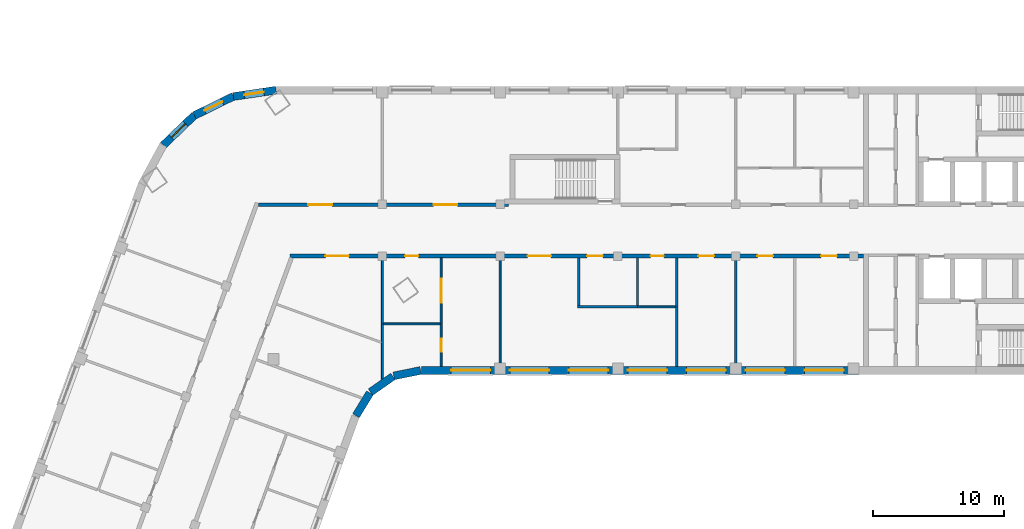
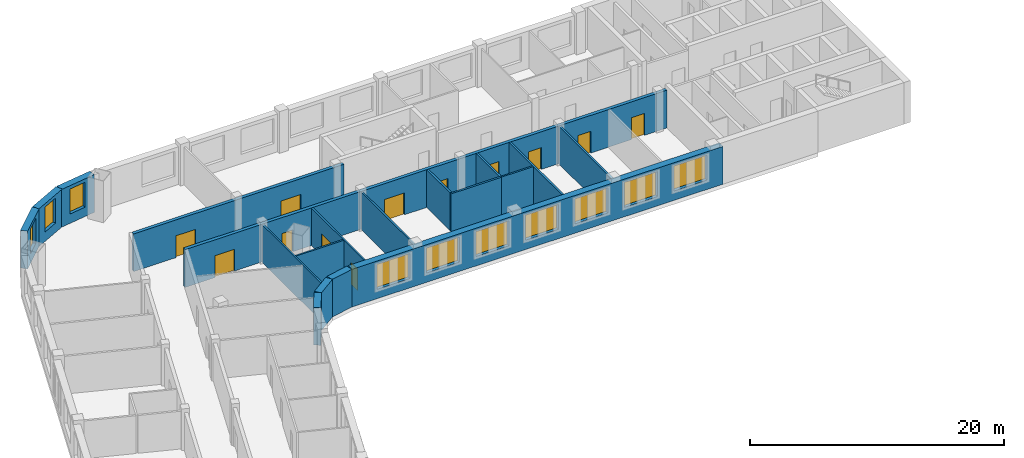
# One storey, part 4 of 14: 19 walls, 12 doors, 10 windows, 22 openings.
"""IFC4 building model written with IfcOpenShell, lengths in metres."""

from ifc_helpers import new_model, si_unit, direction, frame, frame_2d, origin, place, context, subcontext, project, spatial, rectangle, extrude, material, layer, layer_set, type_object, element, fill, save


model = new_model("IFC4")

# Units and contexts
model_context = context("Model", 3, precision=1e-05, world=origin(), true_north=direction((0.0, 1.0)))
body_context = subcontext(model_context, "Body", "Model", "MODEL_VIEW")
ifc_project = project(units=[si_unit("LENGTHUNIT", "METRE"), si_unit("AREAUNIT", "SQUARE_METRE"), si_unit("VOLUMEUNIT", "CUBIC_METRE"), si_unit("PLANEANGLEUNIT", "RADIAN"), si_unit("MASSUNIT", "GRAM", prefix="KILO")], contexts=[model_context])

# Site, building, storey
site_placement = place(None, origin())
site = spatial("IfcSite", under=ifc_project, at=site_placement, CompositionType="ELEMENT")
building_placement = place(site_placement, origin())
building = spatial("IfcBuilding", under=site, at=building_placement, Name="Skarvind Civic Tower", CompositionType="ELEMENT")
storey_placement = place(building_placement, frame((0.0, 0.0, 89.0)))
storey = spatial("IfcBuildingStorey", under=building, at=storey_placement, Name="L20", CompositionType="ELEMENT", Elevation=89.0)

# Walls
ifc_material_1 = material(Name="Acoustic gypsum board on steel studs", Category="steel")
ifc_layer_1 = layer(ifc_material_1, 0.175048828125)
ifc_layer_set_1 = layer_set([ifc_layer_1], Name="ACOUSTIC MEETING-ROOM PARTITION 175")
wall_type_1 = type_object("IfcWallType", Name="ACOUSTIC MEETING-ROOM PARTITION 175", PredefinedType="PARTITIONING", material=ifc_layer_set_1)
wall_1_placement = place(storey_placement, frame((69.25, 122.238037109375, 0.0), z_axis=(0.0, 0.0, 1.0), x_axis=(0.0, 1.0, 0.0)))
element("IfcWall", 1, at=wall_1_placement, inside=storey, type_object=wall_type_1, Name="Partition 20.023", PredefinedType="PARTITIONING", context=body_context, shape_type="SweptSolid", body=[
    extrude(rectangle(XDim=3.661865234375, YDim=0.175048828125, at=frame_2d((1.8310546875, 0.0))), origin(), (0.0, 0.0, 1.0), 3.625),
])
wall_2_placement = place(storey_placement, frame((73.75, 122.14990234375, 0.0), z_axis=(0.0, 0.0, 1.0), x_axis=(-1.0, 0.0, 0.0)))
element("IfcWall", 2, at=wall_2_placement, inside=storey, type_object=wall_type_1, Name="Partition 20.027", PredefinedType="PARTITIONING", context=body_context, shape_type="SweptSolid", body=[
    extrude(rectangle(XDim=4.587890625, YDim=0.175048828125, at=frame_2d((2.2939453125, 0.0))), origin(), (0.0, 0.0, 1.0), 3.625),
])
wall_3_placement = place(storey_placement, frame((73.75, 125.89990234375, 0.0), z_axis=(0.0, 0.0, 1.0), x_axis=(0.0, -1.0, 0.0)))
element("IfcWall", 3, at=wall_3_placement, inside=storey, type_object=wall_type_1, Name="Partition 20.028", PredefinedType="PARTITIONING", context=body_context, shape_type="SweptSolid", body=[
    extrude(rectangle(XDim=3.661865234375, YDim=0.175048828125, at=frame_2d((1.8310546875, 0.0))), origin(), (0.0, 0.0, 1.0), 3.625),
])
for number, where, z_axis, x_axis, name in (
    (4, (76.75, 117.60009765625, 0.0), (0.0, 0.0, 1.0), (0.0, 1.0, 0.0), "Partition 20.029"),
    (5, (81.25, 117.60009765625, 0.0), (0.0, 0.0, 1.0), (0.0, 1.0, 0.0), "Partition 20.032"),
):
    element("IfcWall", number, at=place(storey_placement, frame(where, z_axis=z_axis, x_axis=x_axis)), inside=storey, type_object=wall_type_1, Name=name, PredefinedType="PARTITIONING", context=body_context, shape_type="SweptSolid", body=[
        extrude(rectangle(XDim=8.2998046875, YDim=0.175048828125, at=frame_2d((4.14990234375, 0.0))), origin(), (0.0, 0.0, 1.0), 3.625),
    ])

# Wall, openings, doors
ifc_material_2 = material(Name="Fire-rated gypsum board on steel studs", Category="steel")
ifc_layer_2 = layer(ifc_material_2, 0.300048828125)
ifc_layer_set_2 = layer_set([ifc_layer_2], Name="CORRIDOR WALL 300")
wall_type_2 = type_object("IfcWallType", Name="CORRIDOR WALL 300", PredefinedType="PARTITIONING", material=ifc_layer_set_2)
wall_4_placement = place(storey_placement, frame((44.784912109375, 129.949951171875, 0.0), z_axis=(0.0, 0.0, 1.0), x_axis=(1.0, 0.0, 0.0)))
wall_4 = element("IfcWall", 6, at=wall_4_placement, inside=storey, type_object=wall_type_2, Name="Partition 20.014", PredefinedType="PARTITIONING", context=body_context, shape_type="SweptSolid", body=[
    extrude(rectangle(XDim=19.114990234375, YDim=0.300048828125, at=frame_2d((9.5576171875, 0.0))), origin(), (0.0, 0.0, 1.0), 3.625),
])
opening_1_placement = place(wall_4_placement, frame((13.389892578125, 0.0, 0.0)))
opening_1 = element("IfcOpeningElement", 7, at=opening_1_placement, cuts=wall_4, Name="Opening L20-D007", PredefinedType="OPENING", context=body_context, shape_type="SweptSolid", body=[
    extrude(rectangle(XDim=1.800048828125, YDim=2.10009765625, at=frame_2d((0.89990234375, 1.050048828125))), frame((0.0, 0.159912109375, 0.0), z_axis=(0.0, -1.0, 0.0), x_axis=(1.0, 0.0, 0.0)), (0.0, 0.0, 1.0), 0.320068359375),
])
opening_2_placement = place(wall_4_placement, frame((3.822509765625, 0.0, 0.0)))
opening_2 = element("IfcOpeningElement", 8, at=opening_2_placement, cuts=wall_4, Name="Opening L20-D028", PredefinedType="OPENING", context=body_context, shape_type="SweptSolid", body=[
    extrude(rectangle(XDim=1.800048828125, YDim=2.10009765625, at=frame_2d((0.89990234375, 1.050048828125))), frame((0.0, 0.159912109375, 0.0), z_axis=(0.0, -1.0, 0.0), x_axis=(1.0, 0.0, 0.0)), (0.0, 0.0, 1.0), 0.320068359375),
])
ifc_material_3 = material(Name="Fire-rated timber door leaf", Category="wood")
door_type_1 = type_object("IfcDoorType", Name="FD4 1800x2100", OperationType="NOTDEFINED", PredefinedType="DOOR", material=ifc_material_3)
door_1_placement = place(opening_1_placement, origin())
door_1 = element("IfcDoor", 9, at=door_1_placement, inside=storey, type_object=door_type_1, Name="Door L20-D007", OperationType="DOUBLE_DOOR_SINGLE_SWING", OverallHeight=2.10009765625, OverallWidth=1.800048828125, PredefinedType="DOOR", context=body_context, shape_type="SweptSolid", body=[
    extrude(rectangle(XDim=1.800048828125, YDim=2.10009765625, at=frame_2d((0.89990234375, 1.050048828125))), frame((0.0, 0.02490234375, 0.0), z_axis=(0.0, -1.0, 0.0), x_axis=(1.0, 0.0, 0.0)), (0.0, 0.0, 1.0), 0.050048828125),
])
fill(opening_1, door_1)
door_2_placement = place(opening_2_placement, origin())
door_2 = element("IfcDoor", 10, at=door_2_placement, inside=storey, type_object=door_type_1, Name="Door L20-D028", OperationType="DOUBLE_DOOR_SINGLE_SWING", OverallHeight=2.10009765625, OverallWidth=1.800048828125, PredefinedType="DOOR", context=body_context, shape_type="SweptSolid", body=[
    extrude(rectangle(XDim=1.800048828125, YDim=2.10009765625, at=frame_2d((0.89990234375, 1.050048828125))), frame((0.0, 0.02490234375, 0.0), z_axis=(0.0, -1.0, 0.0), x_axis=(1.0, 0.0, 0.0)), (0.0, 0.0, 1.0), 0.050048828125),
])
fill(opening_2, door_2)

wall_5_placement = place(storey_placement, frame((91.0, 126.050048828125, 0.0), z_axis=(0.0, 0.0, 1.0), x_axis=(-1.0, 0.0, 0.0)))
wall_5 = element("IfcWall", 11, at=wall_5_placement, inside=storey, type_object=wall_type_2, Name="Partition 20.038", PredefinedType="PARTITIONING", context=body_context, shape_type="SweptSolid", body=[
    extrude(rectangle(XDim=43.784912109375, YDim=0.300048828125, at=frame_2d((21.892578125, 0.0))), origin(), (0.0, 0.0, 1.0), 3.625),
])
opening_3_placement = place(wall_5_placement, frame((2.02490234375, 0.0, 0.0)))
opening_3 = element("IfcOpeningElement", 12, at=opening_3_placement, cuts=wall_5, Name="Opening L20-D008", PredefinedType="OPENING", context=body_context, shape_type="SweptSolid", body=[
    extrude(rectangle(XDim=1.199951171875, YDim=2.10009765625, at=frame_2d((0.60009765625, 1.050048828125))), frame((0.0, 0.159912109375, 0.0), z_axis=(0.0, -1.0, 0.0), x_axis=(1.0, 0.0, 0.0)), (0.0, 0.0, 1.0), 0.320068359375),
])
opening_4_placement = place(wall_5_placement, frame((6.89990234375, 0.0, 0.0)))
opening_4 = element("IfcOpeningElement", 13, at=opening_4_placement, cuts=wall_5, Name="Opening L20-D009", PredefinedType="OPENING", context=body_context, shape_type="SweptSolid", body=[
    extrude(rectangle(XDim=1.199951171875, YDim=2.10009765625, at=frame_2d((0.60009765625, 1.050048828125))), frame((0.0, 0.159912109375, 0.0), z_axis=(0.0, -1.0, 0.0), x_axis=(1.0, 0.0, 0.0)), (0.0, 0.0, 1.0), 0.320068359375),
])
opening_5_placement = place(wall_5_placement, frame((11.39990234375, 0.0, 0.0)))
opening_5 = element("IfcOpeningElement", 14, at=opening_5_placement, cuts=wall_5, Name="Opening L20-D010", PredefinedType="OPENING", context=body_context, shape_type="SweptSolid", body=[
    extrude(rectangle(XDim=1.199951171875, YDim=2.10009765625, at=frame_2d((0.60009765625, 1.050048828125))), frame((0.0, 0.159912109375, 0.0), z_axis=(0.0, -1.0, 0.0), x_axis=(1.0, 0.0, 0.0)), (0.0, 0.0, 1.0), 0.320068359375),
])
opening_6_placement = place(wall_5_placement, frame((15.25, 0.0, 0.0)))
opening_6 = element("IfcOpeningElement", 15, at=opening_6_placement, cuts=wall_5, Name="Opening L20-D011", PredefinedType="OPENING", context=body_context, shape_type="SweptSolid", body=[
    extrude(rectangle(XDim=1.0, YDim=2.10009765625, at=frame_2d((0.5, 1.050048828125))), frame((0.0, 0.159912109375, 0.0), z_axis=(0.0, -1.0, 0.0), x_axis=(1.0, 0.0, 0.0)), (0.0, 0.0, 1.0), 0.320068359375),
])
opening_7_placement = place(wall_5_placement, frame((19.89990234375, 0.0, 0.0)))
opening_7 = element("IfcOpeningElement", 16, at=opening_7_placement, cuts=wall_5, Name="Opening L20-D012", PredefinedType="OPENING", context=body_context, shape_type="SweptSolid", body=[
    extrude(rectangle(XDim=1.199951171875, YDim=2.10009765625, at=frame_2d((0.60009765625, 1.050048828125))), frame((0.0, 0.159912109375, 0.0), z_axis=(0.0, -1.0, 0.0), x_axis=(1.0, 0.0, 0.0)), (0.0, 0.0, 1.0), 0.320068359375),
])
opening_8_placement = place(wall_5_placement, frame((23.85009765625, 0.0, 0.0)))
opening_8 = element("IfcOpeningElement", 17, at=opening_8_placement, cuts=wall_5, Name="Opening L20-D013", PredefinedType="OPENING", context=body_context, shape_type="SweptSolid", body=[
    extrude(rectangle(XDim=1.800048828125, YDim=2.10009765625, at=frame_2d((0.89990234375, 1.050048828125))), frame((0.0, 0.159912109375, 0.0), z_axis=(0.0, -1.0, 0.0), x_axis=(1.0, 0.0, 0.0)), (0.0, 0.0, 1.0), 0.320068359375),
])
opening_9_placement = place(wall_5_placement, frame((34.0, 0.0, 0.0)))
opening_9 = element("IfcOpeningElement", 18, at=opening_9_placement, cuts=wall_5, Name="Opening L20-D014", PredefinedType="OPENING", context=body_context, shape_type="SweptSolid", body=[
    extrude(rectangle(XDim=1.0, YDim=2.10009765625, at=frame_2d((0.5, 1.050048828125))), frame((0.0, 0.159912109375, 0.0), z_axis=(0.0, -1.0, 0.0), x_axis=(1.0, 0.0, 0.0)), (0.0, 0.0, 1.0), 0.320068359375),
])
opening_10_placement = place(wall_5_placement, frame((39.2958984375, 0.0, 0.0)))
opening_10 = element("IfcOpeningElement", 19, at=opening_10_placement, cuts=wall_5, Name="Opening L20-D029", PredefinedType="OPENING", context=body_context, shape_type="SweptSolid", body=[
    extrude(rectangle(XDim=1.800048828125, YDim=2.10009765625, at=frame_2d((0.89990234375, 1.050048828125))), frame((0.0, 0.159912109375, 0.0), z_axis=(0.0, -1.0, 0.0), x_axis=(1.0, 0.0, 0.0)), (0.0, 0.0, 1.0), 0.320068359375),
])
door_type_2 = type_object("IfcDoorType", Name="FD1 1000x2100", OperationType="NOTDEFINED", PredefinedType="DOOR", material=ifc_material_3)
door_3_placement = place(opening_6_placement, origin())
door_3 = element("IfcDoor", 20, at=door_3_placement, inside=storey, type_object=door_type_2, Name="Door L20-D011", OperationType="SINGLE_SWING_LEFT", OverallHeight=2.10009765625, OverallWidth=1.0, PredefinedType="DOOR", context=body_context, shape_type="SweptSolid", body=[
    extrude(rectangle(XDim=1.0, YDim=2.10009765625, at=frame_2d((0.5, 1.050048828125))), frame((0.0, 0.02490234375, 0.0), z_axis=(0.0, -1.0, 0.0), x_axis=(1.0, 0.0, 0.0)), (0.0, 0.0, 1.0), 0.050048828125),
])
fill(opening_6, door_3)
door_4_placement = place(opening_9_placement, origin())
door_4 = element("IfcDoor", 21, at=door_4_placement, inside=storey, type_object=door_type_2, Name="Door L20-D014", OperationType="SINGLE_SWING_LEFT", OverallHeight=2.10009765625, OverallWidth=1.0, PredefinedType="DOOR", context=body_context, shape_type="SweptSolid", body=[
    extrude(rectangle(XDim=1.0, YDim=2.10009765625, at=frame_2d((0.5, 1.050048828125))), frame((0.0, 0.02490234375, 0.0), z_axis=(0.0, -1.0, 0.0), x_axis=(1.0, 0.0, 0.0)), (0.0, 0.0, 1.0), 0.050048828125),
])
fill(opening_9, door_4)
door_5_placement = place(opening_8_placement, origin())
door_5 = element("IfcDoor", 22, at=door_5_placement, inside=storey, type_object=door_type_1, Name="Door L20-D013", OperationType="DOUBLE_DOOR_SINGLE_SWING", OverallHeight=2.10009765625, OverallWidth=1.800048828125, PredefinedType="DOOR", context=body_context, shape_type="SweptSolid", body=[
    extrude(rectangle(XDim=1.800048828125, YDim=2.10009765625, at=frame_2d((0.89990234375, 1.050048828125))), frame((0.0, 0.02490234375, 0.0), z_axis=(0.0, -1.0, 0.0), x_axis=(1.0, 0.0, 0.0)), (0.0, 0.0, 1.0), 0.050048828125),
])
fill(opening_8, door_5)
door_6_placement = place(opening_10_placement, origin())
door_6 = element("IfcDoor", 23, at=door_6_placement, inside=storey, type_object=door_type_1, Name="Door L20-D029", OperationType="DOUBLE_DOOR_SINGLE_SWING", OverallHeight=2.10009765625, OverallWidth=1.800048828125, PredefinedType="DOOR", context=body_context, shape_type="SweptSolid", body=[
    extrude(rectangle(XDim=1.800048828125, YDim=2.10009765625, at=frame_2d((0.89990234375, 1.050048828125))), frame((0.0, 0.02490234375, 0.0), z_axis=(0.0, -1.0, 0.0), x_axis=(1.0, 0.0, 0.0)), (0.0, 0.0, 1.0), 0.050048828125),
])
fill(opening_10, door_6)
door_type_3 = type_object("IfcDoorType", Name="FD6 1200x2100 DOUBLE", OperationType="NOTDEFINED", PredefinedType="DOOR", material=ifc_material_3)
door_7_placement = place(opening_3_placement, origin())
door_7 = element("IfcDoor", 24, at=door_7_placement, inside=storey, type_object=door_type_3, Name="Door L20-D008", OperationType="DOUBLE_DOOR_SINGLE_SWING", OverallHeight=2.10009765625, OverallWidth=1.199951171875, PredefinedType="DOOR", context=body_context, shape_type="SweptSolid", body=[
    extrude(rectangle(XDim=1.199951171875, YDim=2.10009765625, at=frame_2d((0.60009765625, 1.050048828125))), frame((0.0, 0.02490234375, 0.0), z_axis=(0.0, -1.0, 0.0), x_axis=(1.0, 0.0, 0.0)), (0.0, 0.0, 1.0), 0.050048828125),
])
fill(opening_3, door_7)
door_8_placement = place(opening_4_placement, origin())
door_8 = element("IfcDoor", 25, at=door_8_placement, inside=storey, type_object=door_type_3, Name="Door L20-D009", OperationType="DOUBLE_DOOR_SINGLE_SWING", OverallHeight=2.10009765625, OverallWidth=1.199951171875, PredefinedType="DOOR", context=body_context, shape_type="SweptSolid", body=[
    extrude(rectangle(XDim=1.199951171875, YDim=2.10009765625, at=frame_2d((0.60009765625, 1.050048828125))), frame((0.0, 0.02490234375, 0.0), z_axis=(0.0, -1.0, 0.0), x_axis=(1.0, 0.0, 0.0)), (0.0, 0.0, 1.0), 0.050048828125),
])
fill(opening_4, door_8)
door_9_placement = place(opening_5_placement, origin())
door_9 = element("IfcDoor", 26, at=door_9_placement, inside=storey, type_object=door_type_3, Name="Door L20-D010", OperationType="DOUBLE_DOOR_SINGLE_SWING", OverallHeight=2.10009765625, OverallWidth=1.199951171875, PredefinedType="DOOR", context=body_context, shape_type="SweptSolid", body=[
    extrude(rectangle(XDim=1.199951171875, YDim=2.10009765625, at=frame_2d((0.60009765625, 1.050048828125))), frame((0.0, 0.02490234375, 0.0), z_axis=(0.0, -1.0, 0.0), x_axis=(1.0, 0.0, 0.0)), (0.0, 0.0, 1.0), 0.050048828125),
])
fill(opening_5, door_9)
door_10_placement = place(opening_7_placement, origin())
door_10 = element("IfcDoor", 27, at=door_10_placement, inside=storey, type_object=door_type_3, Name="Door L20-D012", OperationType="DOUBLE_DOOR_SINGLE_SWING", OverallHeight=2.10009765625, OverallWidth=1.199951171875, PredefinedType="DOOR", context=body_context, shape_type="SweptSolid", body=[
    extrude(rectangle(XDim=1.199951171875, YDim=2.10009765625, at=frame_2d((0.60009765625, 1.050048828125))), frame((0.0, 0.02490234375, 0.0), z_axis=(0.0, -1.0, 0.0), x_axis=(1.0, 0.0, 0.0)), (0.0, 0.0, 1.0), 0.050048828125),
])
fill(opening_7, door_10)

# Walls
ifc_material_4 = material(Name="Plasterboard partition on steel studs", Category="steel")
ifc_layer_3 = layer(ifc_material_4, 0.14990234375)
ifc_layer_set_3 = layer_set([ifc_layer_3], Name="PARTITION 150")
wall_type_3 = type_object("IfcWallType", Name="PARTITION 150", PredefinedType="PARTITIONING", material=ifc_layer_set_3)
wall_6_placement = place(storey_placement, frame((54.25, 116.636962890625, 0.0), z_axis=(0.0, 0.0, 1.0), x_axis=(0.0, 1.0, 0.0)))
element("IfcWall", 28, at=wall_6_placement, inside=storey, type_object=wall_type_3, Name="Partition 20.017", PredefinedType="PARTITIONING", context=body_context, shape_type="SweptSolid", body=[
    extrude(rectangle(XDim=9.262939453125, YDim=0.14990234375, at=frame_2d((4.63134765625, 0.0))), origin(), (0.0, 0.0, 1.0), 3.625),
])
wall_7_placement = place(storey_placement, frame((54.324951171875, 120.85009765625, 0.0), z_axis=(0.0, 0.0, 1.0), x_axis=(1.0, 0.0, 0.0)))
element("IfcWall", 29, at=wall_7_placement, inside=storey, type_object=wall_type_3, Name="Partition 20.019", PredefinedType="PARTITIONING", context=body_context, shape_type="SweptSolid", body=[
    extrude(rectangle(XDim=4.35009765625, YDim=0.14990234375, at=frame_2d((2.175048828125, 0.0))), origin(), (0.0, 0.0, 1.0), 3.625),
])

# Wall, openings, doors
wall_8_placement = place(storey_placement, frame((58.75, 117.60009765625, 0.0), z_axis=(0.0, 0.0, 1.0), x_axis=(0.0, 1.0, 0.0)))
wall_8 = element("IfcWall", 30, at=wall_8_placement, inside=storey, type_object=wall_type_3, Name="Partition 20.021", PredefinedType="PARTITIONING", context=body_context, shape_type="SweptSolid", body=[
    extrude(rectangle(XDim=8.2998046875, YDim=0.14990234375, at=frame_2d((4.14990234375, 0.0))), origin(), (0.0, 0.0, 1.0), 3.625),
])
opening_11_placement = place(wall_8_placement, frame((1.125, 0.0, 0.0)))
opening_11 = element("IfcOpeningElement", 31, at=opening_11_placement, cuts=wall_8, Name="Opening L20-D015", PredefinedType="OPENING", context=body_context, shape_type="SweptSolid", body=[
    extrude(rectangle(XDim=1.0, YDim=2.10009765625, at=frame_2d((0.5, 1.050048828125))), frame((0.0, 0.0849609375, 0.0), z_axis=(0.0, -1.0, 0.0), x_axis=(1.0, 0.0, 0.0)), (0.0, 0.0, 1.0), 0.169921875),
])
opening_12_placement = place(wall_8_placement, frame((4.883544921875, 0.0, 0.0)))
opening_12 = element("IfcOpeningElement", 32, at=opening_12_placement, cuts=wall_8, Name="Opening L20-D016", PredefinedType="OPENING", context=body_context, shape_type="SweptSolid", body=[
    extrude(rectangle(XDim=1.800048828125, YDim=2.10009765625, at=frame_2d((0.89990234375, 1.050048828125))), frame((0.0, 0.0849609375, 0.0), z_axis=(0.0, -1.0, 0.0), x_axis=(1.0, 0.0, 0.0)), (0.0, 0.0, 1.0), 0.169921875),
])
ifc_material_5 = material(Name="Timber door leaf", Category="wood")
door_type_4 = type_object("IfcDoorType", Name="D1 1000x2100", OperationType="NOTDEFINED", PredefinedType="DOOR", material=ifc_material_5)
door_11_placement = place(opening_11_placement, origin())
door_11 = element("IfcDoor", 33, at=door_11_placement, inside=storey, type_object=door_type_4, Name="Door L20-D015", OperationType="SINGLE_SWING_RIGHT", OverallHeight=2.10009765625, OverallWidth=1.0, PredefinedType="DOOR", context=body_context, shape_type="SweptSolid", body=[
    extrude(rectangle(XDim=1.0, YDim=2.10009765625, at=frame_2d((0.5, 1.050048828125))), frame((0.0, 0.02490234375, 0.0), z_axis=(0.0, -1.0, 0.0), x_axis=(1.0, 0.0, 0.0)), (0.0, 0.0, 1.0), 0.050048828125),
])
fill(opening_11, door_11)
door_type_5 = type_object("IfcDoorType", Name="D4 1800x2100", OperationType="NOTDEFINED", PredefinedType="DOOR", material=ifc_material_5)
door_12_placement = place(opening_12_placement, origin())
door_12 = element("IfcDoor", 34, at=door_12_placement, inside=storey, type_object=door_type_5, Name="Door L20-D016", OperationType="DOUBLE_DOOR_SINGLE_SWING", OverallHeight=2.10009765625, OverallWidth=1.800048828125, PredefinedType="DOOR", context=body_context, shape_type="SweptSolid", body=[
    extrude(rectangle(XDim=1.800048828125, YDim=2.10009765625, at=frame_2d((0.89990234375, 1.050048828125))), frame((0.0, 0.02490234375, 0.0), z_axis=(0.0, -1.0, 0.0), x_axis=(1.0, 0.0, 0.0)), (0.0, 0.0, 1.0), 0.050048828125),
])
fill(opening_12, door_12)

# Walls
wall_9_placement = place(storey_placement, frame((63.25, 117.60009765625, 0.0), z_axis=(0.0, 0.0, 1.0), x_axis=(0.0, 1.0, 0.0)))
element("IfcWall", 35, at=wall_9_placement, inside=storey, type_object=wall_type_3, Name="Partition 20.022", PredefinedType="PARTITIONING", context=body_context, shape_type="SweptSolid", body=[
    extrude(rectangle(XDim=8.2998046875, YDim=0.14990234375, at=frame_2d((4.14990234375, 0.0))), origin(), (0.0, 0.0, 1.0), 3.625),
])
wall_10_placement = place(storey_placement, frame((76.662109375, 122.14990234375, 0.0), z_axis=(0.0, 0.0, 1.0), x_axis=(-1.0, 0.0, 0.0)))
element("IfcWall", 36, at=wall_10_placement, inside=storey, type_object=wall_type_3, Name="Partition 20.030", PredefinedType="PARTITIONING", context=body_context, shape_type="SweptSolid", body=[
    extrude(rectangle(XDim=2.912109375, YDim=0.14990234375, at=frame_2d((1.4560546875, 0.0))), origin(), (0.0, 0.0, 1.0), 3.625),
])
ifc_material_6 = material(Name="Limestone masonry cladding on insulated backing", Category="masonry")
ifc_layer_4 = layer(ifc_material_6, 0.60009765625)
ifc_layer_set_4 = layer_set([ifc_layer_4], Name="WX1 STONE FACADE WALL 600")
wall_type_4 = type_object("IfcWallType", Name="WX1 STONE FACADE WALL 600", PredefinedType="SOLIDWALL", material=ifc_layer_set_4)
wall_11_placement = place(storey_placement, frame((53.30517578125, 115.578369140625, 0.0), z_axis=(0.0, 0.0, 1.0), x_axis=(-0.522402266438, -0.852699168535, 0.0)))
element("IfcWall", 37, at=wall_11_placement, inside=storey, type_object=wall_type_4, Name="STONE FACADE WALL", PredefinedType="SOLIDWALL", context=body_context, shape_type="SweptSolid", body=[
    extrude(rectangle(XDim=2.042236328125, YDim=0.60009765625, at=frame_2d((1.02099609375, 0.0))), origin(), (0.0, 0.0, 1.0), 3.625),
])
for number, where, z_axis, x_axis, name in (
    (38, (55.061767578125, 116.8388671875, 0.0), (0.0, 0.0, 1.0), (-0.819122269495, -0.573618956815, 0.0), "STONE FACADE WALL"),
    (39, (57.17529296875, 117.2939453125, 0.0), (0.0, 0.0, 1.0), (-0.97996099083, -0.19918949885, 0.0), "STONE FACADE WALL"),
):
    element("IfcWall", number, at=place(storey_placement, frame(where, z_axis=z_axis, x_axis=x_axis)), inside=storey, type_object=wall_type_4, Name=name, PredefinedType="SOLIDWALL", context=body_context, shape_type="SweptSolid", body=[
        extrude(rectangle(XDim=2.09228515625, YDim=0.60009765625, at=frame_2d((1.046142578125, 0.0))), origin(), (0.0, 0.0, 1.0), 3.625),
    ])

# Wall, openings, windows
wall_12_placement = place(storey_placement, frame((90.97998046875, 117.300048828125, 0.0), z_axis=(0.0, 0.0, 1.0), x_axis=(-1.0, 0.0, 0.0)))
wall_12 = element("IfcWall", 40, at=wall_12_placement, inside=storey, type_object=wall_type_4, Name="STONE FACADE WALL", PredefinedType="SOLIDWALL", context=body_context, shape_type="SweptSolid", body=[
    extrude(rectangle(XDim=33.744873046875, YDim=0.60009765625, at=frame_2d((16.87255859375, 0.0))), origin(), (0.0, 0.0, 1.0), 3.625),
])
opening_13_placement = place(wall_12_placement, frame((1.47998046875, 0.0, 0.89990234375)))
opening_13 = element("IfcOpeningElement", 41, at=opening_13_placement, cuts=wall_12, Name="Opening WN1", PredefinedType="OPENING", context=body_context, shape_type="SweptSolid", body=[
    extrude(rectangle(XDim=3.0, YDim=2.39990234375, at=frame_2d((1.5, 1.199951171875))), frame((0.0, 0.31005859375, 0.0), z_axis=(0.0, -1.0, 0.0), x_axis=(1.0, 0.0, 0.0)), (0.0, 0.0, 1.0), 0.6201171875),
])
opening_14_placement = place(wall_12_placement, frame((5.97998046875, 0.0, 0.89990234375)))
opening_14 = element("IfcOpeningElement", 42, at=opening_14_placement, cuts=wall_12, Name="Opening WN1", PredefinedType="OPENING", context=body_context, shape_type="SweptSolid", body=[
    extrude(rectangle(XDim=3.0, YDim=2.39990234375, at=frame_2d((1.5, 1.199951171875))), frame((0.0, 0.31005859375, 0.0), z_axis=(0.0, -1.0, 0.0), x_axis=(1.0, 0.0, 0.0)), (0.0, 0.0, 1.0), 0.6201171875),
])
opening_15_placement = place(wall_12_placement, frame((10.47998046875, 0.0, 0.89990234375)))
opening_15 = element("IfcOpeningElement", 43, at=opening_15_placement, cuts=wall_12, Name="Opening WN1", PredefinedType="OPENING", context=body_context, shape_type="SweptSolid", body=[
    extrude(rectangle(XDim=3.0, YDim=2.39990234375, at=frame_2d((1.5, 1.199951171875))), frame((0.0, 0.31005859375, 0.0), z_axis=(0.0, -1.0, 0.0), x_axis=(1.0, 0.0, 0.0)), (0.0, 0.0, 1.0), 0.6201171875),
])
opening_16_placement = place(wall_12_placement, frame((14.97998046875, 0.0, 0.89990234375)))
opening_16 = element("IfcOpeningElement", 44, at=opening_16_placement, cuts=wall_12, Name="Opening WN1", PredefinedType="OPENING", context=body_context, shape_type="SweptSolid", body=[
    extrude(rectangle(XDim=3.0, YDim=2.39990234375, at=frame_2d((1.5, 1.199951171875))), frame((0.0, 0.31005859375, 0.0), z_axis=(0.0, -1.0, 0.0), x_axis=(1.0, 0.0, 0.0)), (0.0, 0.0, 1.0), 0.6201171875),
])
opening_17_placement = place(wall_12_placement, frame((19.47998046875, 0.0, 0.89990234375)))
opening_17 = element("IfcOpeningElement", 45, at=opening_17_placement, cuts=wall_12, Name="Opening WN1", PredefinedType="OPENING", context=body_context, shape_type="SweptSolid", body=[
    extrude(rectangle(XDim=3.0, YDim=2.39990234375, at=frame_2d((1.5, 1.199951171875))), frame((0.0, 0.31005859375, 0.0), z_axis=(0.0, -1.0, 0.0), x_axis=(1.0, 0.0, 0.0)), (0.0, 0.0, 1.0), 0.6201171875),
])
opening_18_placement = place(wall_12_placement, frame((23.97998046875, 0.0, 0.89990234375)))
opening_18 = element("IfcOpeningElement", 46, at=opening_18_placement, cuts=wall_12, Name="Opening WN1", PredefinedType="OPENING", context=body_context, shape_type="SweptSolid", body=[
    extrude(rectangle(XDim=3.0, YDim=2.39990234375, at=frame_2d((1.5, 1.199951171875))), frame((0.0, 0.31005859375, 0.0), z_axis=(0.0, -1.0, 0.0), x_axis=(1.0, 0.0, 0.0)), (0.0, 0.0, 1.0), 0.6201171875),
])
opening_19_placement = place(wall_12_placement, frame((28.47998046875, 0.0, 0.89990234375)))
opening_19 = element("IfcOpeningElement", 47, at=opening_19_placement, cuts=wall_12, Name="Opening WN1", PredefinedType="OPENING", context=body_context, shape_type="SweptSolid", body=[
    extrude(rectangle(XDim=3.0, YDim=2.39990234375, at=frame_2d((1.5, 1.199951171875))), frame((0.0, 0.31005859375, 0.0), z_axis=(0.0, -1.0, 0.0), x_axis=(1.0, 0.0, 0.0)), (0.0, 0.0, 1.0), 0.6201171875),
])
ifc_material_7 = material(Name="Timber frame, double glazing, timber-lined reveal", Category="wood")
window_type_1 = type_object("IfcWindowType", Name="WN1 PUNCHED STONE WINDOW 3000 x 2400", PartitioningType="SINGLE_PANEL", PredefinedType="WINDOW", material=ifc_material_7)
window_1_placement = place(opening_13_placement, origin())
window_1 = element("IfcWindow", 48, at=window_1_placement, inside=storey, type_object=window_type_1, Name="WN1 WINDOW", OverallHeight=2.39990234375, OverallWidth=3.0, PartitioningType="SINGLE_PANEL", PredefinedType="WINDOW", context=body_context, shape_type="SweptSolid", body=[
    extrude(rectangle(XDim=3.0, YDim=2.39990234375, at=frame_2d((1.5, 1.199951171875))), frame((0.0, 0.030029296875, 0.0), z_axis=(0.0, -1.0, 0.0), x_axis=(1.0, 0.0, 0.0)), (0.0, 0.0, 1.0), 0.06005859375),
])
fill(opening_13, window_1)
window_2_placement = place(opening_14_placement, origin())
window_2 = element("IfcWindow", 49, at=window_2_placement, inside=storey, type_object=window_type_1, Name="WN1 WINDOW", OverallHeight=2.39990234375, OverallWidth=3.0, PartitioningType="SINGLE_PANEL", PredefinedType="WINDOW", context=body_context, shape_type="SweptSolid", body=[
    extrude(rectangle(XDim=3.0, YDim=2.39990234375, at=frame_2d((1.5, 1.199951171875))), frame((0.0, 0.030029296875, 0.0), z_axis=(0.0, -1.0, 0.0), x_axis=(1.0, 0.0, 0.0)), (0.0, 0.0, 1.0), 0.06005859375),
])
fill(opening_14, window_2)
window_3_placement = place(opening_15_placement, origin())
window_3 = element("IfcWindow", 50, at=window_3_placement, inside=storey, type_object=window_type_1, Name="WN1 WINDOW", OverallHeight=2.39990234375, OverallWidth=3.0, PartitioningType="SINGLE_PANEL", PredefinedType="WINDOW", context=body_context, shape_type="SweptSolid", body=[
    extrude(rectangle(XDim=3.0, YDim=2.39990234375, at=frame_2d((1.5, 1.199951171875))), frame((0.0, 0.030029296875, 0.0), z_axis=(0.0, -1.0, 0.0), x_axis=(1.0, 0.0, 0.0)), (0.0, 0.0, 1.0), 0.06005859375),
])
fill(opening_15, window_3)
window_4_placement = place(opening_16_placement, origin())
window_4 = element("IfcWindow", 51, at=window_4_placement, inside=storey, type_object=window_type_1, Name="WN1 WINDOW", OverallHeight=2.39990234375, OverallWidth=3.0, PartitioningType="SINGLE_PANEL", PredefinedType="WINDOW", context=body_context, shape_type="SweptSolid", body=[
    extrude(rectangle(XDim=3.0, YDim=2.39990234375, at=frame_2d((1.5, 1.199951171875))), frame((0.0, 0.030029296875, 0.0), z_axis=(0.0, -1.0, 0.0), x_axis=(1.0, 0.0, 0.0)), (0.0, 0.0, 1.0), 0.06005859375),
])
fill(opening_16, window_4)
window_5_placement = place(opening_17_placement, origin())
window_5 = element("IfcWindow", 52, at=window_5_placement, inside=storey, type_object=window_type_1, Name="WN1 WINDOW", OverallHeight=2.39990234375, OverallWidth=3.0, PartitioningType="SINGLE_PANEL", PredefinedType="WINDOW", context=body_context, shape_type="SweptSolid", body=[
    extrude(rectangle(XDim=3.0, YDim=2.39990234375, at=frame_2d((1.5, 1.199951171875))), frame((0.0, 0.030029296875, 0.0), z_axis=(0.0, -1.0, 0.0), x_axis=(1.0, 0.0, 0.0)), (0.0, 0.0, 1.0), 0.06005859375),
])
fill(opening_17, window_5)
window_6_placement = place(opening_18_placement, origin())
window_6 = element("IfcWindow", 53, at=window_6_placement, inside=storey, type_object=window_type_1, Name="WN1 WINDOW", OverallHeight=2.39990234375, OverallWidth=3.0, PartitioningType="SINGLE_PANEL", PredefinedType="WINDOW", context=body_context, shape_type="SweptSolid", body=[
    extrude(rectangle(XDim=3.0, YDim=2.39990234375, at=frame_2d((1.5, 1.199951171875))), frame((0.0, 0.030029296875, 0.0), z_axis=(0.0, -1.0, 0.0), x_axis=(1.0, 0.0, 0.0)), (0.0, 0.0, 1.0), 0.06005859375),
])
fill(opening_18, window_6)
window_7_placement = place(opening_19_placement, origin())
window_7 = element("IfcWindow", 54, at=window_7_placement, inside=storey, type_object=window_type_1, Name="WN1 WINDOW", OverallHeight=2.39990234375, OverallWidth=3.0, PartitioningType="SINGLE_PANEL", PredefinedType="WINDOW", context=body_context, shape_type="SweptSolid", body=[
    extrude(rectangle(XDim=3.0, YDim=2.39990234375, at=frame_2d((1.5, 1.199951171875))), frame((0.0, 0.030029296875, 0.0), z_axis=(0.0, -1.0, 0.0), x_axis=(1.0, 0.0, 0.0)), (0.0, 0.0, 1.0), 0.06005859375),
])
fill(opening_19, window_7)

# Wall, opening, window
wall_13_placement = place(storey_placement, frame((42.872802734375, 138.21728515625, 0.0), z_axis=(0.0, 0.0, 1.0), x_axis=(0.989110792192, 0.14717282619, 0.0)))
wall_13 = element("IfcWall", 55, at=wall_13_placement, inside=storey, type_object=wall_type_4, Name="STONE FACADE WALL", PredefinedType="SOLIDWALL", context=body_context, shape_type="SweptSolid", body=[
    extrude(rectangle(XDim=3.302734375, YDim=0.60009765625, at=frame_2d((1.6513671875, 0.0))), origin(), (0.0, 0.0, 1.0), 3.625),
])
opening_20_placement = place(wall_13_placement, frame((0.8564453125, 0.0, 0.89990234375)))
opening_20 = element("IfcOpeningElement", 56, at=opening_20_placement, cuts=wall_13, Name="Opening WN8", PredefinedType="OPENING", context=body_context, shape_type="SweptSolid", body=[
    extrude(rectangle(XDim=1.5, YDim=2.39990234375, at=frame_2d((0.75, 1.199951171875))), frame((0.0, 0.31005859375, 0.0), z_axis=(0.0, -1.0, 0.0), x_axis=(1.0, 0.0, 0.0)), (0.0, 0.0, 1.0), 0.6201171875),
])
window_type_2 = type_object("IfcWindowType", Name="WN8 ARC BAY WINDOW 1500 x 2400", PartitioningType="SINGLE_PANEL", PredefinedType="WINDOW", material=ifc_material_7)
window_8_placement = place(opening_20_placement, origin())
window_8 = element("IfcWindow", 57, at=window_8_placement, inside=storey, type_object=window_type_2, Name="WN8 WINDOW", OverallHeight=2.39990234375, OverallWidth=1.5, PartitioningType="SINGLE_PANEL", PredefinedType="WINDOW", context=body_context, shape_type="SweptSolid", body=[
    extrude(rectangle(XDim=1.5, YDim=2.39990234375, at=frame_2d((0.75, 1.199951171875))), frame((0.0, 0.030029296875, 0.0), z_axis=(0.0, -1.0, 0.0), x_axis=(1.0, 0.0, 0.0)), (0.0, 0.0, 1.0), 0.06005859375),
])
fill(opening_20, window_8)

wall_14_placement = place(storey_placement, frame((39.9072265625, 136.77587890625, 0.0), z_axis=(0.0, 0.0, 1.0), x_axis=(0.89761231107, 0.440785819889, 0.0)))
wall_14 = element("IfcWall", 58, at=wall_14_placement, inside=storey, type_object=wall_type_4, Name="STONE FACADE WALL", PredefinedType="SOLIDWALL", context=body_context, shape_type="SweptSolid", body=[
    extrude(rectangle(XDim=3.302734375, YDim=0.60009765625, at=frame_2d((1.6513671875, 0.0))), origin(), (0.0, 0.0, 1.0), 3.625),
])
opening_21_placement = place(wall_14_placement, frame((0.8564453125, 0.0, 0.89990234375)))
opening_21 = element("IfcOpeningElement", 59, at=opening_21_placement, cuts=wall_14, Name="Opening WN8", PredefinedType="OPENING", context=body_context, shape_type="SweptSolid", body=[
    extrude(rectangle(XDim=1.5, YDim=2.39990234375, at=frame_2d((0.75, 1.199951171875))), frame((0.0, 0.31005859375, 0.0), z_axis=(0.0, -1.0, 0.0), x_axis=(1.0, 0.0, 0.0)), (0.0, 0.0, 1.0), 0.6201171875),
])
window_9_placement = place(opening_21_placement, origin())
window_9 = element("IfcWindow", 60, at=window_9_placement, inside=storey, type_object=window_type_2, Name="WN8 WINDOW", OverallHeight=2.39990234375, OverallWidth=1.5, PartitioningType="SINGLE_PANEL", PredefinedType="WINDOW", context=body_context, shape_type="SweptSolid", body=[
    extrude(rectangle(XDim=1.5, YDim=2.39990234375, at=frame_2d((0.75, 1.199951171875))), frame((0.0, 0.030029296875, 0.0), z_axis=(0.0, -1.0, 0.0), x_axis=(1.0, 0.0, 0.0)), (0.0, 0.0, 1.0), 0.06005859375),
])
fill(opening_21, window_9)

wall_15_placement = place(storey_placement, frame((37.520263671875, 134.501220703125, 0.0), z_axis=(0.0, 0.0, 1.0), x_axis=(0.72115684486, 0.692771827596, 0.0)))
wall_15 = element("IfcWall", 61, at=wall_15_placement, inside=storey, type_object=wall_type_4, Name="STONE FACADE WALL", PredefinedType="SOLIDWALL", context=body_context, shape_type="SweptSolid", body=[
    extrude(rectangle(XDim=3.302734375, YDim=0.60009765625, at=frame_2d((1.6513671875, 0.0))), origin(), (0.0, 0.0, 1.0), 3.625),
])
opening_22_placement = place(wall_15_placement, frame((0.8564453125, 0.0, 0.89990234375)))
opening_22 = element("IfcOpeningElement", 62, at=opening_22_placement, cuts=wall_15, Name="Opening WN8", PredefinedType="OPENING", context=body_context, shape_type="SweptSolid", body=[
    extrude(rectangle(XDim=1.5, YDim=2.39990234375, at=frame_2d((0.75, 1.199951171875))), frame((0.0, 0.31005859375, 0.0), z_axis=(0.0, -1.0, 0.0), x_axis=(1.0, 0.0, 0.0)), (0.0, 0.0, 1.0), 0.6201171875),
])
window_10_placement = place(opening_22_placement, origin())
window_10 = element("IfcWindow", 63, at=window_10_placement, inside=storey, type_object=window_type_2, Name="WN8 WINDOW", OverallHeight=2.39990234375, OverallWidth=1.5, PartitioningType="SINGLE_PANEL", PredefinedType="WINDOW", context=body_context, shape_type="SweptSolid", body=[
    extrude(rectangle(XDim=1.5, YDim=2.39990234375, at=frame_2d((0.75, 1.199951171875))), frame((0.0, 0.030029296875, 0.0), z_axis=(0.0, -1.0, 0.0), x_axis=(1.0, 0.0, 0.0)), (0.0, 0.0, 1.0), 0.06005859375),
])
fill(opening_22, window_10)

save(model, "model.ifc")
